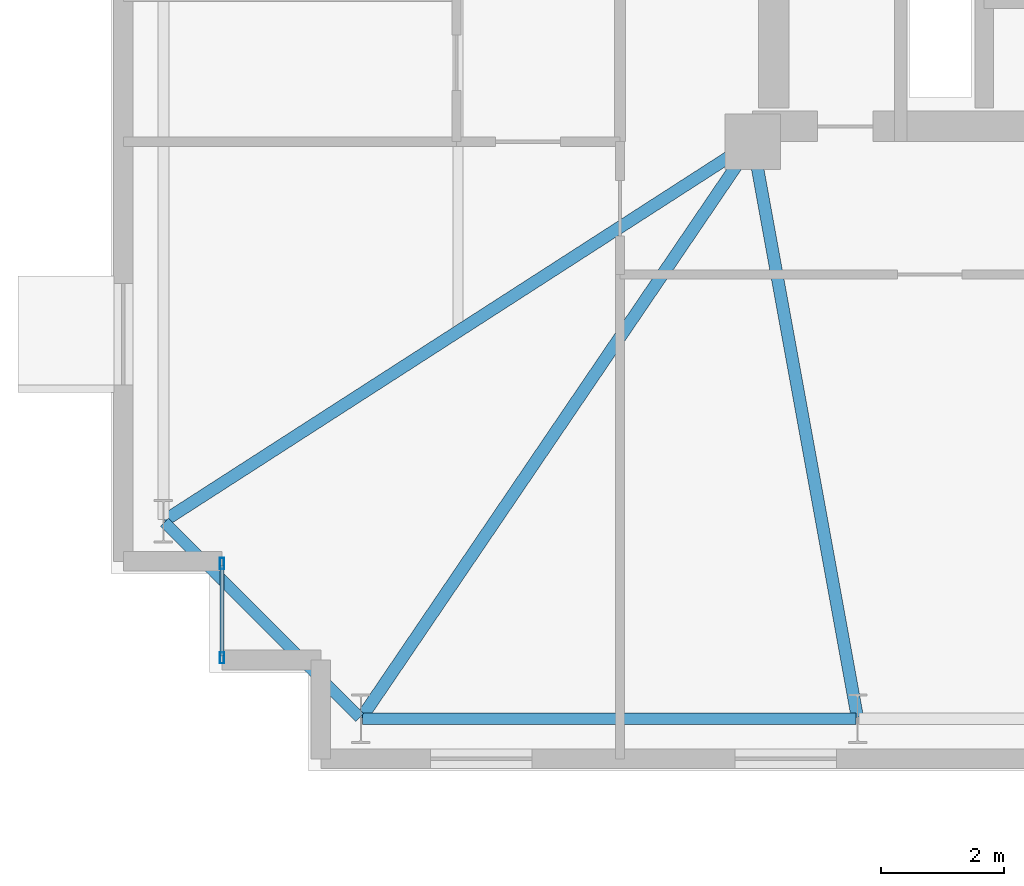
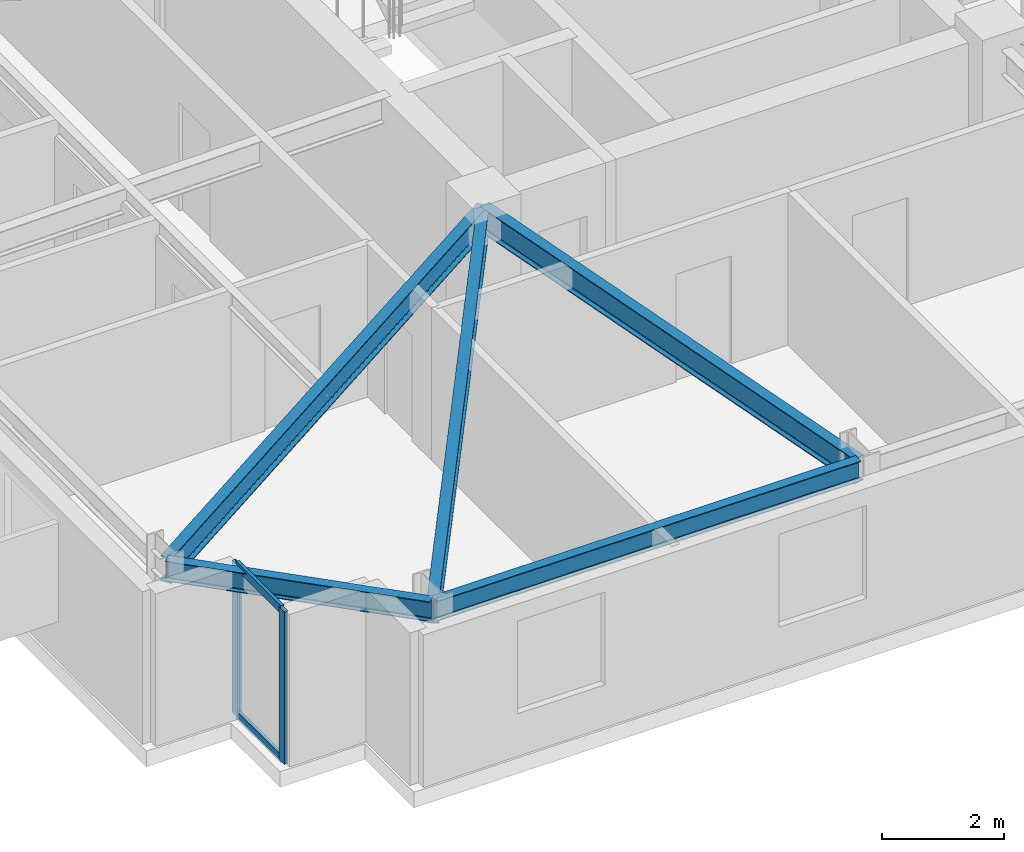
# One storey, part 3 of 17: 5 beams, 4 members, 1 element without a shape of its own.
"""IFC4 building model written with IfcOpenShell, lengths in metres."""

from ifc_helpers import new_model, si_unit, direction, frame, origin, origin_2d, place, context, subcontext, project, spatial, hollow_rectangle, i_section, extrude, material, layer, layer_set, material_profile, profile_set, type_object, element, aggregate, save


model = new_model("IFC4")

# Units and contexts
model_context = context("Model", 3, precision=1e-05, world=origin(), true_north=direction((0.0, 1.0)))
body_context = subcontext(model_context, "Body", "Model", "MODEL_VIEW")
ifc_project = project(units=[si_unit("LENGTHUNIT", "METRE"), si_unit("AREAUNIT", "SQUARE_METRE"), si_unit("VOLUMEUNIT", "CUBIC_METRE"), si_unit("PLANEANGLEUNIT", "RADIAN"), si_unit("MASSUNIT", "GRAM", prefix="KILO")], contexts=[model_context])

# Site, building, storey
site_placement = place(None, origin())
site = spatial("IfcSite", under=ifc_project, at=site_placement, CompositionType="ELEMENT")
building_placement = place(site_placement, origin())
building = spatial("IfcBuilding", under=site, at=building_placement, Name="Qobustan Lattice House", CompositionType="ELEMENT")
storey_placement = place(building_placement, frame((0.0, 0.0, 167.85009765625)))
storey = spatial("IfcBuildingStorey", under=building, at=storey_placement, Name="L47", CompositionType="ELEMENT", Elevation=167.85009765625)

# Beams
ifc_material_1 = material(Name="Steel S355", Category="steel")
ifc_material_profile_1 = material_profile(ifc_material_1, i_section(OverallWidth=0.199951171875, OverallDepth=0.5, WebThickness=0.01025390625, FlangeThickness=0.01611328125, FilletRadius=0.02099609375, at=origin_2d()), Name="IPE500")
ifc_profile_set_1 = profile_set([ifc_material_profile_1], Name="Steel S355")
beam_type_1 = type_object("IfcBeamType", Name="BM-FLG-IPE500", PredefinedType="USERDEFINED", material=ifc_profile_set_1)
beam_1_placement = place(storey_placement, frame((-25.135986328125, -14.92919921875, 2.789794921875), z_axis=(0.561834572616, 0.827249607442, 0.0), x_axis=(-0.827249607442, 0.561834572616, 0.0)))
element("IfcBeam", 1, at=beam_1_placement, inside=storey, type_object=beam_type_1, Name="L47 primary floor girder RAD-S1W", ObjectType="GIRDER", PredefinedType="USERDEFINED", context=body_context, shape_type="SweptSolid", body=[
    extrude(i_section(OverallWidth=0.199951171875, OverallDepth=0.5, WebThickness=0.01025390625, FlangeThickness=0.01611328125, FilletRadius=0.02099609375, at=origin_2d()), origin(), (0.0, 0.0, 1.0), 11.25244140625),
])
beam_2_placement = place(storey_placement, frame((-17.1044921875, -14.92529296875, 2.789794921875), z_axis=(-0.178871801984, 0.983872389314, 0.0), x_axis=(-0.983872389314, -0.178871801984, 0.0)))
element("IfcBeam", 2, at=beam_2_placement, inside=storey, type_object=beam_type_1, Name="L47 primary floor girder RAD-S2", ObjectType="GIRDER", PredefinedType="USERDEFINED", context=body_context, shape_type="SweptSolid", body=[
    extrude(i_section(OverallWidth=0.199951171875, OverallDepth=0.5, WebThickness=0.01025390625, FlangeThickness=0.01611328125, FilletRadius=0.02099609375, at=origin_2d()), origin(), (0.0, 0.0, 1.0), 9.453125),
])
beam_3_placement = place(storey_placement, frame((-28.3291015625, -11.736572265625, 2.789794921875), z_axis=(0.840746836292, 0.5414284415, 0.0), x_axis=(-0.5414284415, 0.840746836292, 0.0)))
element("IfcBeam", 3, at=beam_3_placement, inside=storey, type_object=beam_type_1, Name="L47 primary floor girder RAD-W4", ObjectType="GIRDER", PredefinedType="USERDEFINED", context=body_context, shape_type="SweptSolid", body=[
    extrude(i_section(OverallWidth=0.199951171875, OverallDepth=0.5, WebThickness=0.01025390625, FlangeThickness=0.01611328125, FilletRadius=0.02099609375, at=origin_2d()), origin(), (0.0, 0.0, 1.0), 11.30908203125),
])
ifc_material_2 = material(Name="Steel S355", Category="steel")
ifc_material_profile_2 = material_profile(ifc_material_2, i_section(OverallWidth=0.179931640625, OverallDepth=0.39990234375, WebThickness=0.008544921875, FlangeThickness=0.013427734375, FilletRadius=0.02099609375, at=origin_2d()), Name="IPE400")
ifc_profile_set_2 = profile_set([ifc_material_profile_2], Name="Steel S355")
beam_type_2 = type_object("IfcBeamType", Name="BM-SPD-IPE400", PredefinedType="SPANDREL", material=ifc_profile_set_2)
beam_4_placement = place(storey_placement, frame((-25.125, -14.949951171875, 2.83984375), z_axis=(1.0, 0.0, 0.0), x_axis=(0.0, 1.0, 0.0)))
element("IfcBeam", 4, at=beam_4_placement, inside=storey, type_object=beam_type_2, Name="L47 perimeter spandrel S1-S2", PredefinedType="SPANDREL", context=body_context, shape_type="SweptSolid", body=[
    extrude(i_section(OverallWidth=0.179931640625, OverallDepth=0.39990234375, WebThickness=0.008544921875, FlangeThickness=0.013427734375, FilletRadius=0.02099609375, at=origin_2d()), origin(), (0.0, 0.0, 1.0), 8.0),
])
beam_5_placement = place(storey_placement, frame((-28.332275390625, -11.767578125, 2.83984375), z_axis=(0.707079505568, -0.707134055753, 0.0), x_axis=(0.707134055753, 0.707079505568, 0.0)))
element("IfcBeam", 5, at=beam_5_placement, inside=storey, type_object=beam_type_2, Name="L47 perimeter spandrel W4-S1", PredefinedType="SPANDREL", context=body_context, shape_type="SweptSolid", body=[
    extrude(i_section(OverallWidth=0.179931640625, OverallDepth=0.39990234375, WebThickness=0.008544921875, FlangeThickness=0.013427734375, FilletRadius=0.02099609375, at=origin_2d()), origin(), (0.0, 0.0, 1.0), 4.4755859375),
])

# Curtain wall, members
ifc_material_3 = material(Name="Anodised aluminium and low-E glazing", Category="aluminium")
ifc_layer = layer(ifc_material_3, 0.219970703125)
ifc_layer_set = layer_set([ifc_layer], Name="Anodised aluminium and low-E glazing")
curtain_wall_type = type_object("IfcCurtainWallType", Name="CW-FAC-02", PredefinedType="USERDEFINED", material=ifc_layer_set)
curtain_wall_placement = place(storey_placement, origin())
curtain_wall = element("IfcCurtainWall", 6, at=curtain_wall_placement, inside=storey, type_object=curtain_wall_type, Name="L47 serrated corner faceted glazing 3", ObjectType="CURTAIN WALL", PredefinedType="USERDEFINED")
ifc_material_4 = material(Name="Anodised aluminium EN AW-6063 T6", Category="aluminium")
ifc_material_profile_3 = material_profile(ifc_material_4, hollow_rectangle(XDim=0.070068359375, YDim=0.179931640625, WallThickness=0.00439453125, at=origin_2d()), Name="CWM-180x70")
ifc_profile_set_3 = profile_set([ifc_material_profile_3], Name="Anodised aluminium EN AW-6063 T6")
member_type_1 = type_object("IfcMemberType", Name="CWM-STD-180", PredefinedType="MULLION", material=ifc_profile_set_3)
member_1_placement = place(storey_placement, frame((-27.39990234375, -13.965087890625, 0.0), z_axis=(0.0, 0.0, 1.0), x_axis=(-1.0, 0.0, 0.0)))
member_1 = element("IfcMember", 7, at=member_1_placement, type_object=member_type_1, Name="CW-F2 mullion 1", PredefinedType="MULLION", context=body_context, shape_type="SweptSolid", body=[
    extrude(hollow_rectangle(XDim=0.070068359375, YDim=0.179931640625, WallThickness=0.00439453125, at=origin_2d()), origin(), (0.0, 0.0, 1.0), 3.039794921875),
])
member_2_placement = place(storey_placement, frame((-27.39990234375, -12.43505859375, 0.0), z_axis=(0.0, 0.0, 1.0), x_axis=(-1.0, 0.0, 0.0)))
member_2 = element("IfcMember", 8, at=member_2_placement, type_object=member_type_1, Name="CW-F2 mullion 2", PredefinedType="MULLION", context=body_context, shape_type="SweptSolid", body=[
    extrude(hollow_rectangle(XDim=0.070068359375, YDim=0.179931640625, WallThickness=0.00439453125, at=origin_2d()), origin(), (0.0, 0.0, 1.0), 3.039794921875),
])
ifc_material_5 = material(Name="Anodised aluminium EN AW-6063 T6", Category="aluminium")
ifc_material_profile_4 = material_profile(ifc_material_5, hollow_rectangle(XDim=0.06494140625, YDim=0.159912109375, WallThickness=0.00390625, at=origin_2d()), Name="CWT-160x65")
ifc_profile_set_4 = profile_set([ifc_material_profile_4], Name="Anodised aluminium EN AW-6063 T6")
member_type_2 = type_object("IfcMemberType", Name="CWT-HOR-160", PredefinedType="USERDEFINED", material=ifc_profile_set_4)
member_3_placement = place(storey_placement, frame((-27.39990234375, -13.929931640625, 0.032470703125), z_axis=(0.0, 1.0, 0.0), x_axis=(-1.0, 0.0, 0.0)))
member_3 = element("IfcMember", 9, at=member_3_placement, type_object=member_type_2, Name="CW-F2 transom 1.1", ObjectType="TRANSOM", PredefinedType="USERDEFINED", context=body_context, shape_type="SweptSolid", body=[
    extrude(hollow_rectangle(XDim=0.06494140625, YDim=0.159912109375, WallThickness=0.00390625, at=origin_2d()), origin(), (0.0, 0.0, 1.0), 1.4599609375),
])
member_4_placement = place(storey_placement, frame((-27.39990234375, -13.929931640625, 3.00732421875), z_axis=(0.0, 1.0, 0.0), x_axis=(-1.0, 0.0, 0.0)))
member_4 = element("IfcMember", 10, at=member_4_placement, type_object=member_type_2, Name="CW-F2 transom 1.2", ObjectType="TRANSOM", PredefinedType="USERDEFINED", context=body_context, shape_type="SweptSolid", body=[
    extrude(hollow_rectangle(XDim=0.06494140625, YDim=0.159912109375, WallThickness=0.00390625, at=origin_2d()), origin(), (0.0, 0.0, 1.0), 1.4599609375),
])
aggregate(curtain_wall, [member_1, member_2, member_3, member_4])

save(model, "model.ifc")
